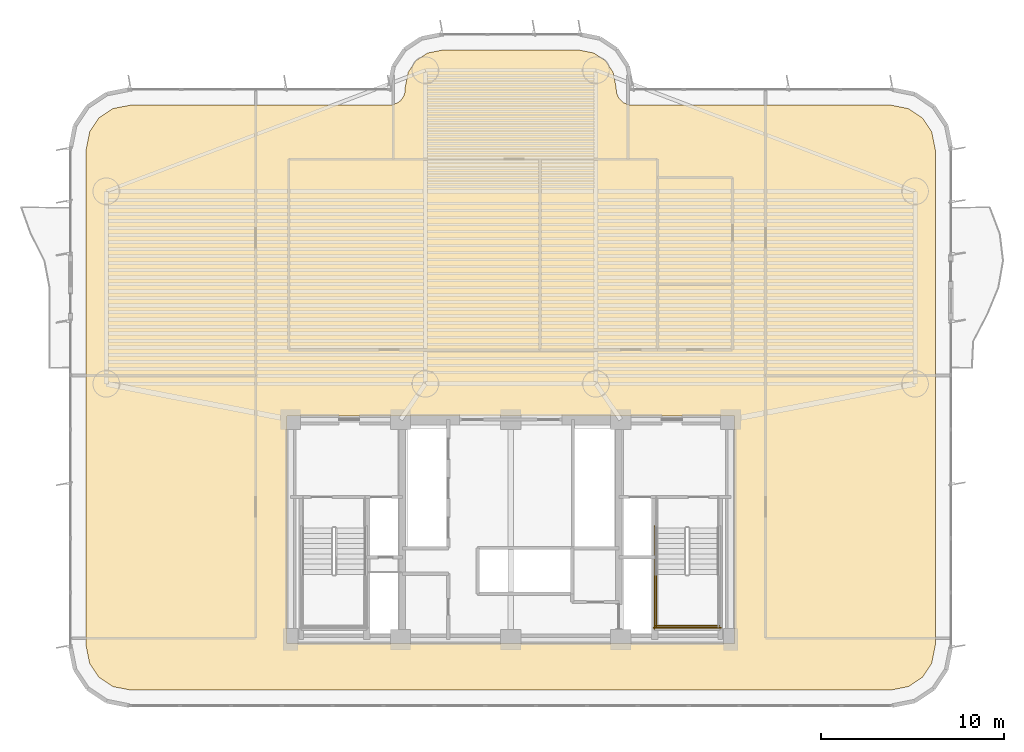
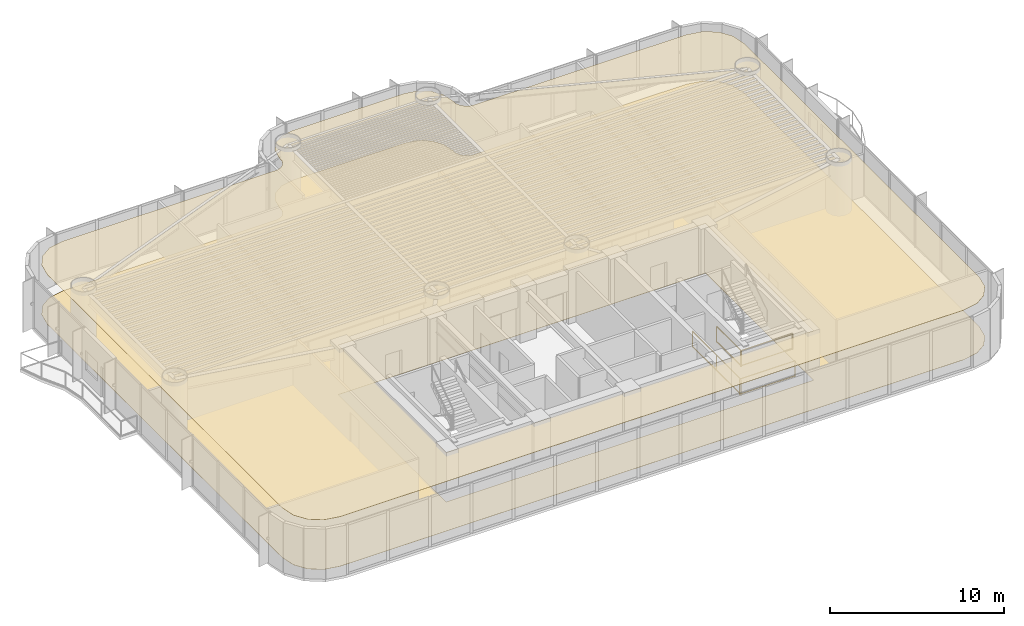
# One storey, part 14 of 16: 4 railings, 2 coverings.
"""IFC4 building model written with IfcOpenShell, lengths in metres."""

from ifc_helpers import new_model, si_unit, direction, frame, origin, origin_2d, place, context, subcontext, project, spatial, polyline, rectangle, outline, extrude, material, layer, layer_set, type_object, element, save


model = new_model("IFC4")

# Units and contexts
model_context = context("Model", 3, precision=1e-05, world=origin(), true_north=direction((0.0, 1.0)))
body_context = subcontext(model_context, "Body", "Model", "MODEL_VIEW")
ifc_project = project(units=[si_unit("LENGTHUNIT", "METRE"), si_unit("AREAUNIT", "SQUARE_METRE"), si_unit("VOLUMEUNIT", "CUBIC_METRE"), si_unit("PLANEANGLEUNIT", "RADIAN"), si_unit("MASSUNIT", "GRAM", prefix="KILO")], contexts=[model_context])

# Site, building, storey
site_placement = place(None, origin())
site = spatial("IfcSite", under=ifc_project, at=site_placement, CompositionType="ELEMENT")
building_placement = place(site_placement, origin())
building = spatial("IfcBuilding", under=site, at=building_placement, Name="Brelvock Crest Care Tower", CompositionType="ELEMENT")
storey_placement = place(building_placement, frame((0.0, 0.0, 57.239990234375)))
storey = spatial("IfcBuildingStorey", under=building, at=storey_placement, Name="L14", CompositionType="ELEMENT", Elevation=57.239990234375)

# Coverings
ifc_material_1 = material(Name="Mineral Fibre Acoustic Ceiling Tile", Category="gypsum")
ifc_layer_1 = layer(ifc_material_1, 0.02490234375, Name="COV-CLG1")
ifc_layer_set_1 = layer_set([ifc_layer_1], Name="Mineral Fibre Acoustic Ceiling Tile")
covering_type_1 = type_object("IfcCoveringType", Name="COV-CLG1", PredefinedType="CEILING", material=ifc_layer_set_1)
covering_1_placement = place(storey_placement, frame((0.0, 0.0, 3.47509765625)))
element("IfcCovering", 1, at=covering_1_placement, inside=storey, type_object=covering_type_1, Name="L14 Acoustic Suspended Ceiling 1", PredefinedType="CEILING", context=body_context, shape_type="SweptSolid", body=[
    extrude(outline(polyline([(56.71630859375, 35.14990234375), (42.5166015625, 35.154052734375), (42.353271484375, 35.1865234375), (42.127685546875, 35.293212890625), (41.893310546875, 35.52783203125), (41.766357421875, 35.834228515625), (41.75, 36.1162109375), (41.586181640625, 36.939697265625), (41.1669921875, 37.567138671875), (40.539794921875, 37.986083984375), (39.71630859375, 38.14990234375), (32.28369140625, 38.14990234375), (31.460205078125, 37.986083984375), (30.8330078125, 37.567138671875), (30.413818359375, 36.939697265625), (30.25, 36.1162109375), (30.233642578125, 35.834228515625), (30.149658203125, 35.599365234375), (30.0009765625, 35.39892578125), (29.872314453125, 35.293212890625), (29.56591796875, 35.166259765625), (15.28369140625, 35.14990234375), (14.30712890625, 34.955810546875), (13.550048828125, 34.449951171875), (13.044189453125, 33.69287109375), (12.85009765625, 32.71630859375), (12.85009765625, 5.68359375), (13.044189453125, 4.70703125), (13.550048828125, 3.9501953125), (14.30712890625, 3.4443359375), (15.28369140625, 3.25), (56.71630859375, 3.25), (57.69287109375, 3.4443359375), (58.449951171875, 3.9501953125), (58.955810546875, 4.70703125), (59.14990234375, 5.68359375), (59.14990234375, 32.71630859375), (58.955810546875, 33.69287109375), (58.449951171875, 34.449951171875), (57.69287109375, 34.955810546875), (56.71630859375, 35.14990234375)]), holes=[polyline([(48.199951171875, 5.800048828125), (48.199951171875, 18.199951171875), (23.800048828125, 18.199951171875), (23.800048828125, 5.800048828125), (48.199951171875, 5.800048828125)])]), origin(), (0.0, 0.0, 1.0), 0.02490234375),
])
ifc_material_2 = material(Name="Slip-Resistant Acoustic Vinyl Flooring", Category="finish")
ifc_layer_2 = layer(ifc_material_2, 0.014892578125, Name="COV-FLR1")
ifc_layer_set_2 = layer_set([ifc_layer_2], Name="Slip-Resistant Acoustic Vinyl Flooring")
covering_type_2 = type_object("IfcCoveringType", Name="COV-FLR1", PredefinedType="FLOORING", material=ifc_layer_set_2)
covering_2_placement = place(storey_placement, origin())
element("IfcCovering", 2, at=covering_2_placement, inside=storey, type_object=covering_type_2, Name="L14 Slip-Resistant Acoustic Flooring 1", PredefinedType="FLOORING", context=body_context, shape_type="SweptSolid", body=[
    extrude(outline(polyline([(56.71630859375, 35.14990234375), (42.5166015625, 35.154052734375), (42.353271484375, 35.1865234375), (42.127685546875, 35.293212890625), (41.893310546875, 35.52783203125), (41.766357421875, 35.834228515625), (41.75, 36.1162109375), (41.586181640625, 36.939697265625), (41.1669921875, 37.567138671875), (40.539794921875, 37.986083984375), (39.71630859375, 38.14990234375), (32.28369140625, 38.14990234375), (31.460205078125, 37.986083984375), (30.8330078125, 37.567138671875), (30.413818359375, 36.939697265625), (30.25, 36.1162109375), (30.233642578125, 35.834228515625), (30.149658203125, 35.599365234375), (30.0009765625, 35.39892578125), (29.872314453125, 35.293212890625), (29.56591796875, 35.166259765625), (15.28369140625, 35.14990234375), (14.30712890625, 34.955810546875), (13.550048828125, 34.449951171875), (13.044189453125, 33.69287109375), (12.85009765625, 32.71630859375), (12.85009765625, 5.68359375), (13.044189453125, 4.70703125), (13.550048828125, 3.9501953125), (14.30712890625, 3.4443359375), (15.28369140625, 3.25), (56.71630859375, 3.25), (57.69287109375, 3.4443359375), (58.449951171875, 3.9501953125), (58.955810546875, 4.70703125), (59.14990234375, 5.68359375), (59.14990234375, 32.71630859375), (58.955810546875, 33.69287109375), (58.449951171875, 34.449951171875), (57.69287109375, 34.955810546875), (56.71630859375, 35.14990234375)]), holes=[polyline([(48.199951171875, 5.800048828125), (48.199951171875, 18.199951171875), (23.800048828125, 18.199951171875), (23.800048828125, 5.800048828125), (48.199951171875, 5.800048828125)])]), origin(), (0.0, 0.0, 1.0), 0.014892578125),
])

# Railings
ifc_material_3 = material(Name="Steel Grade 350", Category="steel")
ifc_layer_3 = layer(ifc_material_3, 0.050048828125, Name="RL-STG1")
ifc_layer_set_3 = layer_set([ifc_layer_3], Name="Steel Grade 350")
railing_type = type_object("IfcRailingType", Name="RL-STG1", PredefinedType="GUARDRAIL", material=ifc_layer_set_3)
railing_1_placement = place(storey_placement, frame((43.93994140625, 9.56005859375, 1.889892578125)))
element("IfcRailing", 3, at=railing_1_placement, inside=storey, type_object=railing_type, Name="L14 ST-2 stair guard 3", PredefinedType="GUARDRAIL", context=body_context, shape_type="SweptSolid", body=[
    extrude(rectangle(XDim=0.048095703125, YDim=0.048095703125, at=origin_2d()), frame((0.0, -0.001953125, 1.11572265625), z_axis=(0.0, -1.0, 0.0), x_axis=(1.0, 0.0, 0.0)), (0.0, 0.0, 1.0), 2.856201171875),
    extrude(rectangle(XDim=0.048095703125, YDim=0.048095703125, at=origin_2d()), frame((0.0, -0.001953125, 0.054931640625), z_axis=(0.0, -1.0, 0.0), x_axis=(1.0, 0.0, 0.0)), (0.0, 0.0, 1.0), 2.856201171875),
    extrude(rectangle(XDim=0.0419921875, YDim=0.0419921875, at=origin_2d()), origin(), (0.0, 0.0, 1.0), 1.08984375),
    extrude(rectangle(XDim=0.0419921875, YDim=0.0419921875, at=origin_2d()), frame((0.0, -2.860107421875, 0.0)), (0.0, 0.0, 1.0), 1.08984375),
])
railing_2_placement = place(storey_placement, frame((43.889892578125, 6.75, 1.889892578125)))
element("IfcRailing", 4, at=railing_2_placement, inside=storey, type_object=railing_type, Name="L14 ST-2 stair guard 5", PredefinedType="GUARDRAIL", context=body_context, shape_type="SweptSolid", body=[
    extrude(rectangle(XDim=0.048095703125, YDim=0.048095703125, at=origin_2d()), frame((0.001953125, 0.0, 1.11572265625), z_axis=(1.0, 0.0, 0.0), x_axis=(0.0, 1.0, 0.0)), (0.0, 0.0, 1.0), 3.476318359375),
    extrude(rectangle(XDim=0.048095703125, YDim=0.048095703125, at=origin_2d()), frame((0.001953125, 0.0, 0.054931640625), z_axis=(1.0, 0.0, 0.0), x_axis=(0.0, 1.0, 0.0)), (0.0, 0.0, 1.0), 3.476318359375),
    extrude(rectangle(XDim=0.0419921875, YDim=0.0419921875, at=origin_2d()), origin(), (0.0, 0.0, 1.0), 1.08984375),
    extrude(rectangle(XDim=0.0419921875, YDim=0.0419921875, at=origin_2d()), frame((3.480224609375, 0.0, 0.0)), (0.0, 0.0, 1.0), 1.08984375),
])
railing_3_placement = place(storey_placement, frame((43.840087890625, 12.179931640625, 0.0)))
element("IfcRailing", 5, at=railing_3_placement, inside=storey, type_object=railing_type, Name="L14 ST-2 stair guard 10", PredefinedType="GUARDRAIL", context=body_context, shape_type="SweptSolid", body=[
    extrude(rectangle(XDim=0.048095703125, YDim=0.048095703125, at=origin_2d()), frame((0.0, -0.001953125, 1.11572265625), z_axis=(0.0, -1.0, 0.0), x_axis=(1.0, 0.0, 0.0)), (0.0, 0.0, 1.0), 5.575927734375),
    extrude(rectangle(XDim=0.048095703125, YDim=0.048095703125, at=origin_2d()), frame((0.0, -0.001953125, 0.054931640625), z_axis=(0.0, -1.0, 0.0), x_axis=(1.0, 0.0, 0.0)), (0.0, 0.0, 1.0), 5.575927734375),
    extrude(rectangle(XDim=0.0419921875, YDim=0.0419921875, at=origin_2d()), origin(), (0.0, 0.0, 1.0), 1.08984375),
    extrude(rectangle(XDim=0.0419921875, YDim=0.0419921875, at=origin_2d()), frame((0.0, -2.7900390625, 0.0)), (0.0, 0.0, 1.0), 1.08984375),
    extrude(rectangle(XDim=0.0419921875, YDim=0.0419921875, at=origin_2d()), frame((0.0, -5.579833984375, 0.0)), (0.0, 0.0, 1.0), 1.08984375),
])
railing_4_placement = place(storey_placement, frame((43.7900390625, 6.64990234375, 0.0)))
element("IfcRailing", 6, at=railing_4_placement, inside=storey, type_object=railing_type, Name="L14 ST-2 stair guard 12", PredefinedType="GUARDRAIL", context=body_context, shape_type="SweptSolid", body=[
    extrude(rectangle(XDim=0.048095703125, YDim=0.048095703125, at=origin_2d()), frame((0.001953125, 0.0, 1.11572265625), z_axis=(1.0, 0.0, 0.0), x_axis=(0.0, 1.0, 0.0)), (0.0, 0.0, 1.0), 3.676025390625),
    extrude(rectangle(XDim=0.048095703125, YDim=0.048095703125, at=origin_2d()), frame((0.001953125, 0.0, 0.054931640625), z_axis=(1.0, 0.0, 0.0), x_axis=(0.0, 1.0, 0.0)), (0.0, 0.0, 1.0), 3.676025390625),
    extrude(rectangle(XDim=0.0419921875, YDim=0.0419921875, at=origin_2d()), origin(), (0.0, 0.0, 1.0), 1.08984375),
    extrude(rectangle(XDim=0.0419921875, YDim=0.0419921875, at=origin_2d()), frame((3.679931640625, 0.0, 0.0)), (0.0, 0.0, 1.0), 1.08984375),
])

save(model, "model.ifc")
